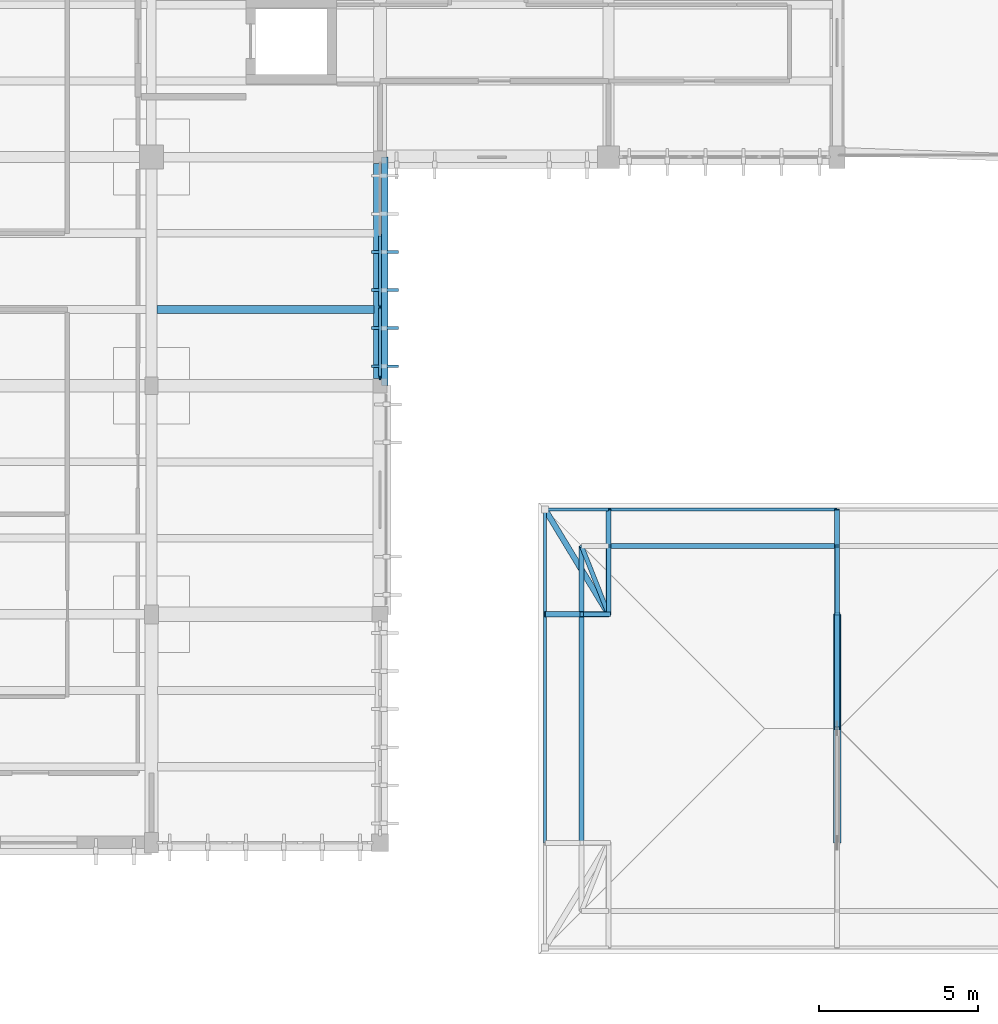
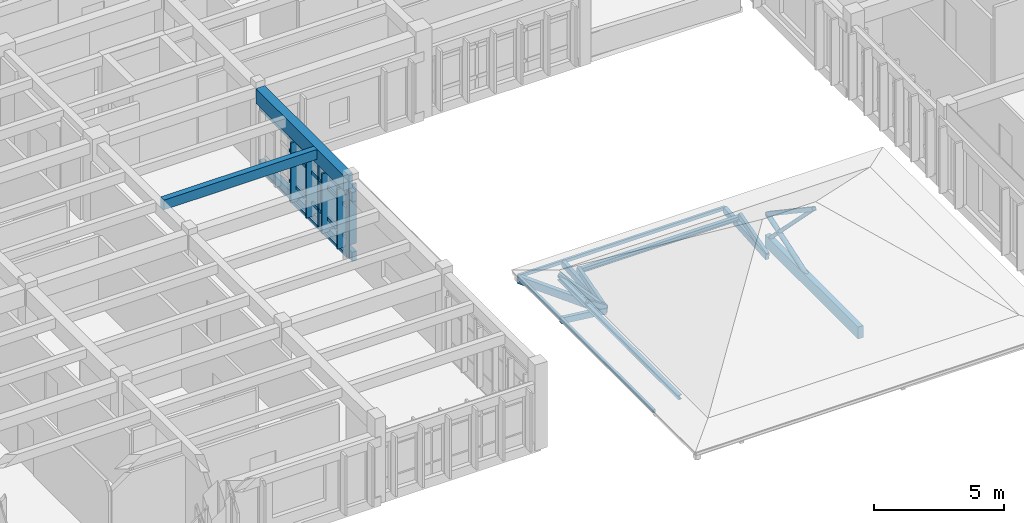
# One storey, part 8 of 51: 32 members, 5 beams, 1 element without a shape of its own.
"""IFC4 building model written with IfcOpenShell, lengths in metres."""

from ifc_helpers import new_model, si_unit, direction, frame, origin, origin_2d, place, context, subcontext, project, spatial, rectangle, hollow_rectangle, hollow_circle, i_section, extrude, material, material_profile, profile_set, type_object, element, aggregate, save


model = new_model("IFC4")

# Units and contexts
model_context = context("Model", 3, precision=1e-05, world=origin(), true_north=direction((0.0, 1.0)))
body_context = subcontext(model_context, "Body", "Model", "MODEL_VIEW")
ifc_project = project(units=[si_unit("LENGTHUNIT", "METRE"), si_unit("AREAUNIT", "SQUARE_METRE"), si_unit("VOLUMEUNIT", "CUBIC_METRE"), si_unit("PLANEANGLEUNIT", "RADIAN"), si_unit("MASSUNIT", "GRAM", prefix="KILO")], contexts=[model_context])

# Site, building, storey
site_placement = place(None, origin())
site = spatial("IfcSite", under=ifc_project, at=site_placement, CompositionType="ELEMENT")
building_placement = place(site_placement, origin())
building = spatial("IfcBuilding", under=site, at=building_placement, Name="Steenspoor Specialist Clinic", CompositionType="ELEMENT")
storey_placement = place(building_placement, frame((0.0, 0.0, 17.39990234375)))
storey = spatial("IfcBuildingStorey", under=building, at=storey_placement, Name="L04", CompositionType="ELEMENT", Elevation=17.39990234375)

# Beams
ifc_material_1 = material(Name="Glulam GL28h", Category="wood")
ifc_material_profile_1 = material_profile(ifc_material_1, rectangle(XDim=0.199951171875, YDim=0.43994140625, at=origin_2d()), Name="GL28H-200X440")
ifc_profile_set_1 = profile_set([ifc_material_profile_1], Name="Glulam GL28h")
beam_type_1 = type_object("IfcBeamType", Name="BM-GL-200X440", PredefinedType="BEAM", material=ifc_profile_set_1)
for number, where, z_axis, x_axis, name in (
    (1, (95.75, 93.949951171875, 0.14013671875), (0.0, -1.0, 0.0), (1.0, 0.0, 0.0), "Timber Screen Tie Rail V4 L04 77"),
    (2, (95.75, 93.949951171875, 2.9501953125), (0.0, -1.0, 0.0), (1.0, 0.0, 0.0), "Timber Screen Tie Rail V4 L04 78"),
):
    element("IfcBeam", number, at=place(storey_placement, frame(where, z_axis=z_axis, x_axis=x_axis)), inside=storey, type_object=beam_type_1, Name=name, PredefinedType="BEAM", context=body_context, shape_type="SweptSolid", body=[
        extrude(rectangle(XDim=0.199951171875, YDim=0.43994140625, at=origin_2d()), origin(), (0.0, 0.0, 1.0), 7.199951171875),
    ])
ifc_material_profile_2 = material_profile(ifc_material_1, rectangle(XDim=0.239990234375, YDim=0.56005859375, at=origin_2d()), Name="GL28H-240X560")
ifc_profile_set_2 = profile_set([ifc_material_profile_2], Name="Glulam GL28h")
beam_type_2 = type_object("IfcBeamType", Name="BM-GL-240X560", PredefinedType="BEAM", material=ifc_profile_set_2)
beam_1_placement = place(storey_placement, frame((110.0, 72.35009765625, 0.300048828125), z_axis=(0.0, 1.0, 0.0), x_axis=(-1.0, 0.0, 0.0)))
element("IfcBeam", 3, at=beam_1_placement, inside=storey, type_object=beam_type_2, Name="ROOF TRUSS Bottom Tie Chord V4T2E 2", PredefinedType="BEAM", context=body_context, shape_type="SweptSolid", body=[
    extrude(rectangle(XDim=0.239990234375, YDim=0.56005859375, at=origin_2d()), origin(), (0.0, 0.0, 1.0), 7.199951171875),
])
ifc_material_2 = material(Name="Concrete C35/45", Category="concrete")
ifc_material_profile_3 = material_profile(ifc_material_2, rectangle(XDim=0.39990234375, YDim=0.699951171875, at=origin_2d()), Name="RC-BM-400X700")
ifc_profile_set_3 = profile_set([ifc_material_profile_3], Name="Concrete C35/45")
beam_type_3 = type_object("IfcBeamType", Name="BM-RC-400X700", PredefinedType="BEAM", material=ifc_profile_set_3)
beam_2_placement = place(storey_placement, frame((95.60009765625, 86.969970703125, 3.570068359375), z_axis=(0.0, 1.0, 0.0), x_axis=(-1.0, 0.0, 0.0)))
element("IfcBeam", 4, at=beam_2_placement, inside=storey, type_object=beam_type_3, Name="BM-V4-L04-Y0959", PredefinedType="BEAM", context=body_context, shape_type="SweptSolid", body=[
    extrude(rectangle(XDim=0.39990234375, YDim=0.699951171875, at=origin_2d()), origin(), (0.0, 0.0, 1.0), 6.784912109375),
])

# Curtain wall, members
ifc_material_3 = material(Name="Thermally broken aluminium and low-emissivity glass", Category="aluminium")
curtain_wall_type = type_object("IfcCurtainWallType", Name="CW-TYP-650X355", PredefinedType="USERDEFINED", material=ifc_material_3)
curtain_wall_placement = place(storey_placement, origin())
curtain_wall = element("IfcCurtainWall", 5, at=curtain_wall_placement, inside=storey, type_object=curtain_wall_type, Name="Unitised Curtain Wall CW-V4-L04-130", ObjectType="UNITISED GLAZING", PredefinedType="USERDEFINED")
ifc_material_4 = material(Name="Thermally broken aluminium 6063-T6", Category="aluminium")
ifc_material_profile_4 = material_profile(ifc_material_4, rectangle(XDim=0.06005859375, YDim=0.135009765625, at=origin_2d()), Name="CWM-60X135")
ifc_profile_set_4 = profile_set([ifc_material_profile_4], Name="Thermally broken aluminium 6063-T6")
member_type_1 = type_object("IfcMemberType", Name="CW-MULL-60X135", PredefinedType="MULLION", material=ifc_profile_set_4)
member_1_placement = place(storey_placement, frame((95.60009765625, 89.2333984375, 0.0), z_axis=(0.0, 0.0, 1.0), x_axis=(1.0, 0.0, 0.0)))
member_1 = element("IfcMember", 6, at=member_1_placement, type_object=member_type_1, Name="CW-10 mullion 3", PredefinedType="MULLION", context=body_context, shape_type="SweptSolid", body=[
    extrude(rectangle(XDim=0.06005859375, YDim=0.135009765625, at=origin_2d()), origin(), (0.0, 0.0, 1.0), 3.10009765625),
])
member_2_placement = place(storey_placement, frame((95.60009765625, 87.0048828125, 0.0), z_axis=(0.0, 0.0, 1.0), x_axis=(1.0, 0.0, 0.0)))
member_2 = element("IfcMember", 7, at=member_2_placement, type_object=member_type_1, Name="CW-10 mullion 4", PredefinedType="MULLION", context=body_context, shape_type="SweptSolid", body=[
    extrude(rectangle(XDim=0.06005859375, YDim=0.135009765625, at=origin_2d()), origin(), (0.0, 0.0, 1.0), 3.10009765625),
])
ifc_material_profile_5 = material_profile(ifc_material_4, rectangle(XDim=0.080078125, YDim=0.159912109375, at=origin_2d()), Name="CWT-80X160")
ifc_profile_set_5 = profile_set([ifc_material_profile_5], Name="Thermally broken aluminium 6063-T6")
member_type_2 = type_object("IfcMemberType", Name="CW-TRAN-80X160", PredefinedType="USERDEFINED", material=ifc_profile_set_5)
member_3_placement = place(storey_placement, frame((95.60009765625, 91.461669921875, 0.0400390625), z_axis=(0.0, -1.0, 0.0), x_axis=(1.0, 0.0, 0.0)))
member_3 = element("IfcMember", 8, at=member_3_placement, type_object=member_type_2, Name="CW-10 transom 2.1", ObjectType="TRANSOM", PredefinedType="USERDEFINED", context=body_context, shape_type="SweptSolid", body=[
    extrude(rectangle(XDim=0.080078125, YDim=0.159912109375, at=origin_2d()), origin(), (0.0, 0.0, 1.0), 2.1982421875),
])
member_4_placement = place(storey_placement, frame((95.60009765625, 91.461669921875, 0.900146484375), z_axis=(0.0, -1.0, 0.0), x_axis=(1.0, 0.0, 0.0)))
member_4 = element("IfcMember", 9, at=member_4_placement, type_object=member_type_2, Name="CW-10 transom 2.2", ObjectType="TRANSOM", PredefinedType="USERDEFINED", context=body_context, shape_type="SweptSolid", body=[
    extrude(rectangle(XDim=0.080078125, YDim=0.159912109375, at=origin_2d()), origin(), (0.0, 0.0, 1.0), 2.1982421875),
])
member_5_placement = place(storey_placement, frame((95.60009765625, 91.461669921875, 2.35009765625), z_axis=(0.0, -1.0, 0.0), x_axis=(1.0, 0.0, 0.0)))
member_5 = element("IfcMember", 10, at=member_5_placement, type_object=member_type_2, Name="CW-10 transom 2.3", ObjectType="TRANSOM", PredefinedType="USERDEFINED", context=body_context, shape_type="SweptSolid", body=[
    extrude(rectangle(XDim=0.080078125, YDim=0.159912109375, at=origin_2d()), origin(), (0.0, 0.0, 1.0), 2.1982421875),
])
member_6_placement = place(storey_placement, frame((95.60009765625, 91.461669921875, 3.06005859375), z_axis=(0.0, -1.0, 0.0), x_axis=(1.0, 0.0, 0.0)))
member_6 = element("IfcMember", 11, at=member_6_placement, type_object=member_type_2, Name="CW-10 transom 2.4", ObjectType="TRANSOM", PredefinedType="USERDEFINED", context=body_context, shape_type="SweptSolid", body=[
    extrude(rectangle(XDim=0.080078125, YDim=0.159912109375, at=origin_2d()), origin(), (0.0, 0.0, 1.0), 2.1982421875),
])
member_7_placement = place(storey_placement, frame((95.60009765625, 89.203369140625, 0.0400390625), z_axis=(0.0, -1.0, 0.0), x_axis=(1.0, 0.0, 0.0)))
member_7 = element("IfcMember", 12, at=member_7_placement, type_object=member_type_2, Name="CW-10 transom 3.1", ObjectType="TRANSOM", PredefinedType="USERDEFINED", context=body_context, shape_type="SweptSolid", body=[
    extrude(rectangle(XDim=0.080078125, YDim=0.159912109375, at=origin_2d()), origin(), (0.0, 0.0, 1.0), 2.16845703125),
])
member_8_placement = place(storey_placement, frame((95.60009765625, 89.203369140625, 0.900146484375), z_axis=(0.0, -1.0, 0.0), x_axis=(1.0, 0.0, 0.0)))
member_8 = element("IfcMember", 13, at=member_8_placement, type_object=member_type_2, Name="CW-10 transom 3.2", ObjectType="TRANSOM", PredefinedType="USERDEFINED", context=body_context, shape_type="SweptSolid", body=[
    extrude(rectangle(XDim=0.080078125, YDim=0.159912109375, at=origin_2d()), origin(), (0.0, 0.0, 1.0), 2.16845703125),
])
member_9_placement = place(storey_placement, frame((95.60009765625, 89.203369140625, 2.35009765625), z_axis=(0.0, -1.0, 0.0), x_axis=(1.0, 0.0, 0.0)))
member_9 = element("IfcMember", 14, at=member_9_placement, type_object=member_type_2, Name="CW-10 transom 3.3", ObjectType="TRANSOM", PredefinedType="USERDEFINED", context=body_context, shape_type="SweptSolid", body=[
    extrude(rectangle(XDim=0.080078125, YDim=0.159912109375, at=origin_2d()), origin(), (0.0, 0.0, 1.0), 2.16845703125),
])
member_10_placement = place(storey_placement, frame((95.60009765625, 89.203369140625, 3.06005859375), z_axis=(0.0, -1.0, 0.0), x_axis=(1.0, 0.0, 0.0)))
member_10 = element("IfcMember", 15, at=member_10_placement, type_object=member_type_2, Name="CW-10 transom 3.4", ObjectType="TRANSOM", PredefinedType="USERDEFINED", context=body_context, shape_type="SweptSolid", body=[
    extrude(rectangle(XDim=0.080078125, YDim=0.159912109375, at=origin_2d()), origin(), (0.0, 0.0, 1.0), 2.16845703125),
])
aggregate(curtain_wall, [member_1, member_2, member_3, member_4, member_5, member_6, member_7, member_8, member_9, member_10])

# Beam
ifc_material_profile_6 = material_profile(ifc_material_2, rectangle(XDim=0.260009765625, YDim=0.4599609375, at=origin_2d()), Name="RC-JT-260X460")
ifc_profile_set_6 = profile_set([ifc_material_profile_6], Name="Concrete C35/45")
beam_type_4 = type_object("IfcBeamType", Name="JT-RC-260X460", PredefinedType="JOIST", material=ifc_profile_set_6)
beam_3_placement = place(storey_placement, frame((88.570068359375, 89.14990234375, 3.690185546875), z_axis=(1.0, 0.0, 0.0), x_axis=(0.0, 1.0, 0.0)))
element("IfcBeam", 16, at=beam_3_placement, inside=storey, type_object=beam_type_4, Name="JT-V4-L04-0992", PredefinedType="JOIST", context=body_context, shape_type="SweptSolid", body=[
    extrude(rectangle(XDim=0.260009765625, YDim=0.4599609375, at=origin_2d()), origin(), (0.0, 0.0, 1.0), 6.8349609375),
])

# Members
ifc_material_5 = material(Name="Steel A500 Grade C", Category="steel")
ifc_material_profile_7 = material_profile(ifc_material_5, hollow_circle(Radius=0.084228515625, WallThickness=0.007080078125, at=origin_2d()), Name="CHS168X7.1")
ifc_profile_set_7 = profile_set([ifc_material_profile_7], Name="Steel A500 Grade C")
member_type_3 = type_object("IfcMemberType", Name="MEM-BRACE-CHS168", PredefinedType="BRACE", material=ifc_profile_set_7)
member_11_placement = place(storey_placement, frame((110.0, 75.949951171875, 3.940673828125), z_axis=(0.0, 0.703137991154, -0.711053419509), x_axis=(-1.0, 0.0, 0.0)))
element("IfcMember", 17, at=member_11_placement, inside=storey, type_object=member_type_3, Name="ROOF TRUSS Web Brace V4T2E 2.2", PredefinedType="BRACE", context=body_context, shape_type="SweptSolid", body=[
    extrude(hollow_circle(Radius=0.084228515625, WallThickness=0.007080078125, at=origin_2d()), origin(), (0.0, 0.0, 1.0), 5.1201171875),
])
ifc_material_profile_8 = material_profile(ifc_material_5, hollow_rectangle(XDim=0.177734375, YDim=0.177734375, WallThickness=0.0087890625, at=origin_2d()), Name="HSS178X178X9.5")
ifc_profile_set_8 = profile_set([ifc_material_profile_8], Name="Steel A500 Grade C")
member_type_4 = type_object("IfcMemberType", Name="MEM-CHORD-H178", PredefinedType="CHORD", material=ifc_profile_set_8)
member_12_placement = place(storey_placement, frame((110.0, 75.949951171875, 3.940673828125), z_axis=(0.0, 0.830035756914, -0.557710177641), x_axis=(-1.0, 0.0, 0.0)))
element("IfcMember", 18, at=member_12_placement, inside=storey, type_object=member_type_4, Name="ROOF TRUSS Top Chord V4T2E 2.2", PredefinedType="CHORD", context=body_context, shape_type="SweptSolid", body=[
    extrude(hollow_rectangle(XDim=0.177734375, YDim=0.177734375, WallThickness=0.0087890625, at=origin_2d()), origin(), (0.0, 0.0, 1.0), 4.337158203125),
])
ifc_material_profile_9 = material_profile(ifc_material_5, hollow_rectangle(XDim=0.1015625, YDim=0.15234375, WallThickness=0.005859375, at=origin_2d()), Name="HSS152X102X6.4")
ifc_profile_set_9 = profile_set([ifc_material_profile_9], Name="Steel A500 Grade C")
member_type_5 = type_object("IfcMemberType", Name="MEM-PURLIN-H152", PredefinedType="PURLIN", material=ifc_profile_set_9)
member_13_placement = place(storey_placement, frame((100.800048828125, 82.85009765625, -0.19482421875), z_axis=(1.0, 0.0, 0.0), x_axis=(0.0, 1.0, 0.0)))
element("IfcMember", 19, at=member_13_placement, inside=storey, type_object=member_type_5, Name="ROOF TRUSS Eave Fascia 257", PredefinedType="PURLIN", context=body_context, shape_type="SweptSolid", body=[
    extrude(hollow_rectangle(XDim=0.1015625, YDim=0.15234375, WallThickness=0.005859375, at=origin_2d()), origin(), (0.0, 0.0, 1.0), 2.0),
])
for number, where, z_axis, x_axis, name in (
    (20, (102.800048828125, 82.85009765625, -0.19482421875), (1.0, 0.0, 0.0), (0.0, 1.0, 0.0), "ROOF TRUSS Eave Fascia 258"),
    (21, (100.800048828125, 72.35009765625, -0.19482421875), (0.0, 1.0, 0.0), (-1.0, 0.0, 0.0), "ROOF TRUSS Eave Fascia 261"),
):
    element("IfcMember", number, at=place(storey_placement, frame(where, z_axis=z_axis, x_axis=x_axis)), inside=storey, type_object=member_type_5, Name=name, PredefinedType="PURLIN", context=body_context, shape_type="SweptSolid", body=[
        extrude(hollow_rectangle(XDim=0.1015625, YDim=0.15234375, WallThickness=0.005859375, at=origin_2d()), origin(), (0.0, 0.0, 1.0), 7.199951171875),
    ])
member_14_placement = place(storey_placement, frame((100.800048828125, 79.550048828125, -0.19482421875), z_axis=(0.0, 1.0, 0.0), x_axis=(-1.0, 0.0, 0.0)))
element("IfcMember", 22, at=member_14_placement, inside=storey, type_object=member_type_5, Name="ROOF TRUSS Eave Fascia 262", PredefinedType="PURLIN", context=body_context, shape_type="SweptSolid", body=[
    extrude(hollow_rectangle(XDim=0.1015625, YDim=0.15234375, WallThickness=0.005859375, at=origin_2d()), origin(), (0.0, 0.0, 1.0), 3.300048828125),
])
ifc_material_6 = material(Name="Steel A992 Grade 50", Category="steel")
ifc_material_profile_10 = material_profile(ifc_material_6, i_section(OverallWidth=0.1650390625, OverallDepth=0.200927734375, WebThickness=0.006103515625, FlangeThickness=0.01025390625, at=origin_2d()), Name="W200X36")
ifc_profile_set_10 = profile_set([ifc_material_profile_10], Name="Steel A992 Grade 50")
member_type_6 = type_object("IfcMemberType", Name="MEM-PURLIN-W200", PredefinedType="PURLIN", material=ifc_profile_set_10)
for number, where, z_axis, x_axis, name in (
    (23, (102.800048828125, 81.699951171875, 0.052490234375), (1.0, 0.0, 0.0), (0.0, 1.0, 0.0), "ROOF TRUSS Knuckle Purlin 266"),
    (24, (101.949951171875, 72.35009765625, 0.052490234375), (0.0, 1.0, 0.0), (-1.0, 0.0, 0.0), "ROOF TRUSS Knuckle Purlin 270"),
):
    element("IfcMember", number, at=place(storey_placement, frame(where, z_axis=z_axis, x_axis=x_axis)), inside=storey, type_object=member_type_6, Name=name, PredefinedType="PURLIN", context=body_context, shape_type="SweptSolid", body=[
        extrude(i_section(OverallWidth=0.1650390625, OverallDepth=0.200927734375, WebThickness=0.006103515625, FlangeThickness=0.01025390625, at=origin_2d()), origin(), (0.0, 0.0, 1.0), 7.199951171875),
    ])
member_15_placement = place(storey_placement, frame((101.949951171875, 79.550048828125, 0.052490234375), z_axis=(0.0, 1.0, 0.0), x_axis=(-1.0, 0.0, 0.0)))
element("IfcMember", 25, at=member_15_placement, inside=storey, type_object=member_type_6, Name="ROOF TRUSS Knuckle Purlin 271", PredefinedType="PURLIN", context=body_context, shape_type="SweptSolid", body=[
    extrude(i_section(OverallWidth=0.1650390625, OverallDepth=0.200927734375, WebThickness=0.006103515625, FlangeThickness=0.01025390625, at=origin_2d()), origin(), (0.0, 0.0, 1.0), 2.14990234375),
])
ifc_material_profile_11 = material_profile(ifc_material_1, rectangle(XDim=0.139892578125, YDim=0.219970703125, at=origin_2d()), Name="GL28H-140X220")
ifc_profile_set_11 = profile_set([ifc_material_profile_11], Name="Glulam GL28h")
member_type_7 = type_object("IfcMemberType", Name="MEM-RAFTER-GL220", PredefinedType="RAFTER", material=ifc_profile_set_11)
for number, where, z_axis, x_axis, name in (
    (26, (102.800048828125, 79.550048828125, -0.42041015625), (0.0, 0.963521044705, 0.26763257726), (-1.0, 0.0, 0.0), "ROOF TRUSS Knuckle Rafter V4T2E 160"),
    (27, (110.0, 79.550048828125, -0.42041015625), (0.0, 0.963521044705, 0.26763257726), (-1.0, 0.0, 0.0), "ROOF TRUSS Knuckle Rafter V4T2E 164"),
):
    element("IfcMember", number, at=place(storey_placement, frame(where, z_axis=z_axis, x_axis=x_axis)), inside=storey, type_object=member_type_7, Name=name, PredefinedType="RAFTER", context=body_context, shape_type="SweptSolid", body=[
        extrude(rectangle(XDim=0.139892578125, YDim=0.219970703125, at=origin_2d()), origin(), (0.0, 0.0, 1.0), 2.231201171875),
    ])
member_16_placement = place(storey_placement, frame((102.800048828125, 79.550048828125, -0.347412109375), z_axis=(-0.851196352378, 0.0, 0.524847377529), x_axis=(0.0, -1.0, 0.0)))
element("IfcMember", 28, at=member_16_placement, inside=storey, type_object=member_type_7, Name="ROOF TRUSS Knuckle Rafter V4T2E 170", PredefinedType="RAFTER", context=body_context, shape_type="SweptSolid", body=[
    extrude(rectangle(XDim=0.139892578125, YDim=0.219970703125, at=origin_2d()), origin(), (0.0, 0.0, 1.0), 0.998779296875),
])
member_17_placement = place(storey_placement, frame((102.800048828125, 79.550048828125, -0.409912109375), z_axis=(-0.356413061456, 0.901370884315, 0.245968003067), x_axis=(-0.929940566275, -0.367709862795, 0.0)))
element("IfcMember", 29, at=member_17_placement, inside=storey, type_object=member_type_7, Name="ROOF TRUSS Corner Knuckle Rafter V4T2E 176", PredefinedType="RAFTER", context=body_context, shape_type="SweptSolid", body=[
    extrude(rectangle(XDim=0.139892578125, YDim=0.219970703125, at=origin_2d()), origin(), (0.0, 0.0, 1.0), 2.38525390625),
])
ifc_material_profile_12 = material_profile(ifc_material_1, rectangle(XDim=0.159912109375, YDim=0.280029296875, at=origin_2d()), Name="GL28H-160X280")
ifc_profile_set_12 = profile_set([ifc_material_profile_12], Name="Glulam GL28h")
member_type_8 = type_object("IfcMemberType", Name="MEM-RAFTER-GL280", PredefinedType="RAFTER", material=ifc_profile_set_12)
for number, where, z_axis, x_axis, name in (
    (30, (102.800048828125, 79.550048828125, -0.5), (0.0, 0.997513468668, 0.070476093999), (-1.0, 0.0, 0.0), "ROOF TRUSS Flared Eave Glulam Outrigger V4T2E 159"),
    (31, (110.0, 79.550048828125, -0.5), (0.0, 0.997513468668, 0.070476093999), (-1.0, 0.0, 0.0), "ROOF TRUSS Flared Eave Glulam Outrigger V4T2E 163"),
):
    element("IfcMember", number, at=place(storey_placement, frame(where, z_axis=z_axis, x_axis=x_axis)), inside=storey, type_object=member_type_8, Name=name, PredefinedType="RAFTER", context=body_context, shape_type="SweptSolid", body=[
        extrude(rectangle(XDim=0.159912109375, YDim=0.280029296875, at=origin_2d()), origin(), (0.0, 0.0, 1.0), 3.308349609375),
    ])
member_18_placement = place(storey_placement, frame((102.800048828125, 79.550048828125, -0.5), z_axis=(-0.993273369456, 0.0, 0.11579297703), x_axis=(0.0, -1.0, 0.0)))
element("IfcMember", 32, at=member_18_placement, inside=storey, type_object=member_type_8, Name="ROOF TRUSS Flared Eave Glulam Outrigger V4T2E 169", PredefinedType="RAFTER", context=body_context, shape_type="SweptSolid", body=[
    extrude(rectangle(XDim=0.159912109375, YDim=0.280029296875, at=origin_2d()), origin(), (0.0, 0.0, 1.0), 2.013427734375),
])
ifc_material_profile_13 = material_profile(ifc_material_1, rectangle(XDim=0.179931640625, YDim=0.360107421875, at=origin_2d()), Name="GL28H-180X360")
ifc_profile_set_13 = profile_set([ifc_material_profile_13], Name="Glulam GL28h")
member_type_9 = type_object("IfcMemberType", Name="MEM-RAFTER-GL360", PredefinedType="RAFTER", material=ifc_profile_set_13)
member_19_placement = place(storey_placement, frame((102.800048828125, 79.550048828125, -0.5), z_axis=(-0.517656424832, 0.854145739069, 0.049667718496), x_axis=(-0.855201230787, -0.518296107317, 0.0)))
element("IfcMember", 33, at=member_19_placement, inside=storey, type_object=member_type_9, Name="ROOF TRUSS Corner Hip Outrigger V4T2E 175", PredefinedType="RAFTER", context=body_context, shape_type="SweptSolid", body=[
    extrude(rectangle(XDim=0.179931640625, YDim=0.360107421875, at=origin_2d()), origin(), (0.0, 0.0, 1.0), 3.863525390625),
])
ifc_material_profile_14 = material_profile(ifc_material_1, rectangle(XDim=0.090087890625, YDim=0.85009765625, at=origin_2d()), Name="GL28H-90X850")
ifc_profile_set_14 = profile_set([ifc_material_profile_14], Name="Glulam GL28h")
member_type_10 = type_object("IfcMemberType", Name="MEM-SCREEN-GL850", PredefinedType="STRUT", material=ifc_profile_set_14)
for number, where, z_axis, x_axis, name in (
    (34, (95.75, 90.96240234375, 0.27001953125), (0.0, 0.0, 1.0), (0.0, -1.0, 0.0), "Glulam Timber Screen Fin SCR-FIN-V4-L04-0081"),
    (35, (95.75, 89.762451171875, 0.27001953125), (0.0, 0.0, 1.0), (0.0, -1.0, 0.0), "Glulam Timber Screen Fin SCR-FIN-V4-L04-0082"),
    (36, (95.75, 88.5625, 0.27001953125), (0.0, 0.0, 1.0), (0.0, -1.0, 0.0), "Glulam Timber Screen Fin SCR-FIN-V4-L04-0083"),
    (37, (95.75, 87.362548828125, 0.27001953125), (0.0, 0.0, 1.0), (0.0, -1.0, 0.0), "Glulam Timber Screen Fin SCR-FIN-V4-L04-0084"),
):
    element("IfcMember", number, at=place(storey_placement, frame(where, z_axis=z_axis, x_axis=x_axis)), inside=storey, type_object=member_type_10, Name=name, PredefinedType="STRUT", context=body_context, shape_type="SweptSolid", body=[
        extrude(rectangle(XDim=0.090087890625, YDim=0.85009765625, at=origin_2d()), origin(), (0.0, 0.0, 1.0), 2.820068359375),
    ])
ifc_material_profile_15 = material_profile(ifc_material_5, hollow_circle(Radius=0.109619140625, WallThickness=0.00830078125, at=origin_2d()), Name="CHS219X8.2")
ifc_profile_set_15 = profile_set([ifc_material_profile_15], Name="Steel A500 Grade C")
member_type_11 = type_object("IfcMemberType", Name="MEM-STRUT-CHS219", PredefinedType="STRUT", material=ifc_profile_set_15)
member_20_placement = place(storey_placement, frame((110.0, 75.949951171875, 0.300048828125), z_axis=(0.0, 0.946961253317, 0.321347762892), x_axis=(-1.0, 0.0, 0.0)))
element("IfcMember", 38, at=member_20_placement, inside=storey, type_object=member_type_11, Name="ROOF TRUSS Web Strut V4T2E 2.2", PredefinedType="STRUT", context=body_context, shape_type="SweptSolid", body=[
    extrude(hollow_circle(Radius=0.109619140625, WallThickness=0.00830078125, at=origin_2d()), origin(), (0.0, 0.0, 1.0), 3.8017578125),
])

save(model, "model.ifc")
